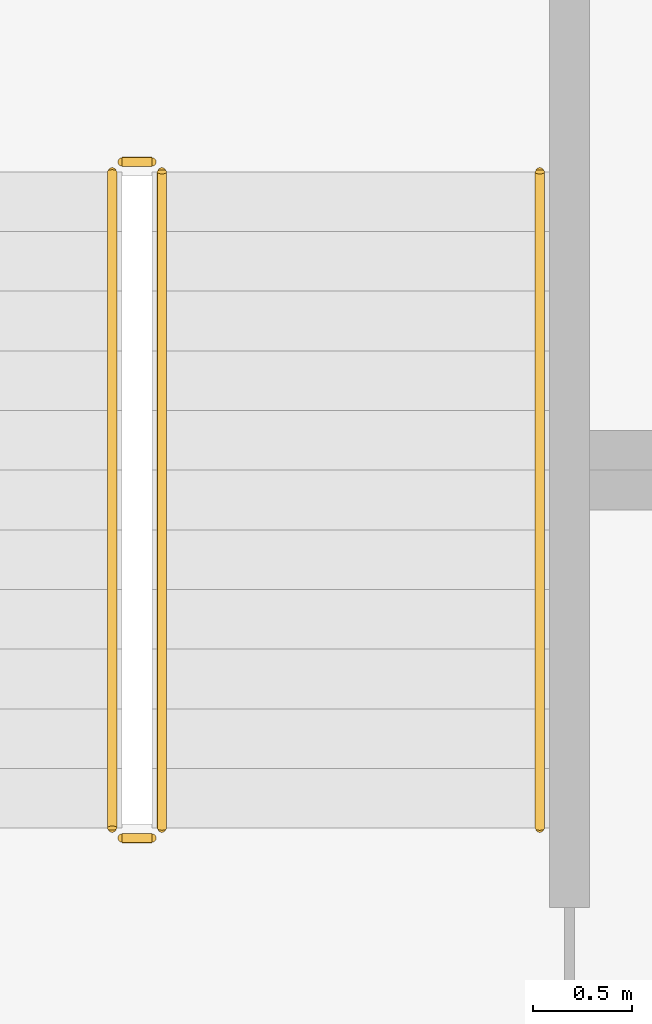
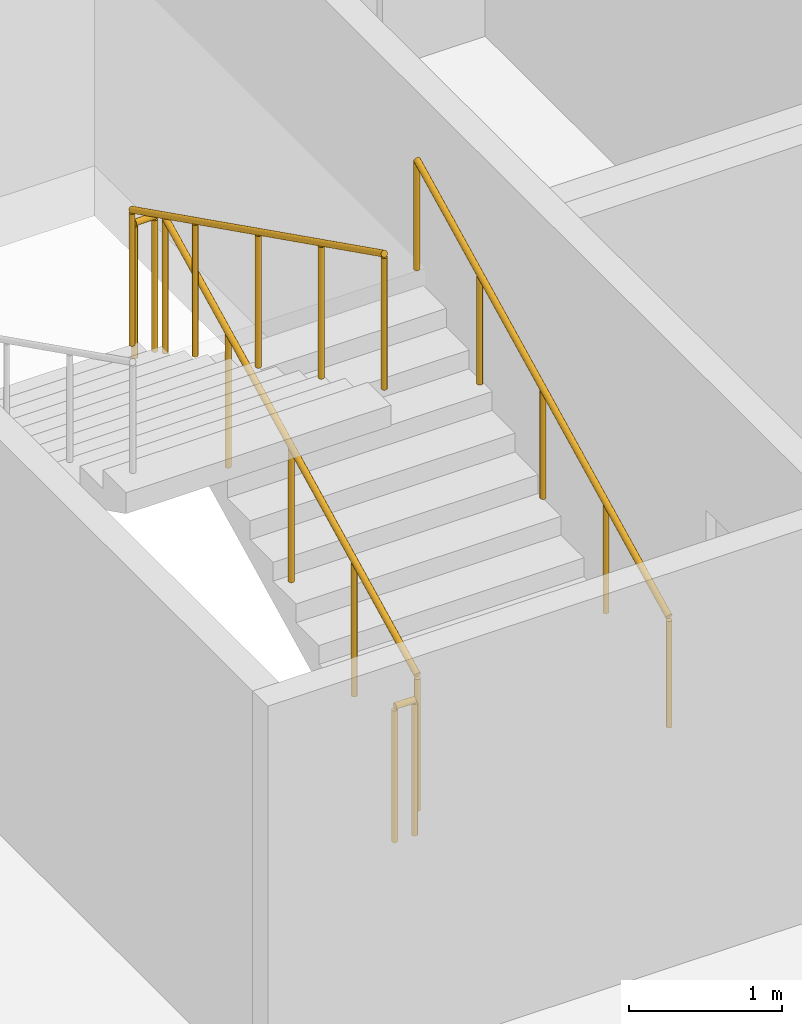
# One storey, part 30 of 37: 5 railings.
"""IFC4 building model written with IfcOpenShell, lengths in metres."""

from ifc_helpers import new_model, si_unit, direction, frame, origin, origin_2d, place, context, subcontext, project, spatial, circle, extrude, material, type_object, element, save


model = new_model("IFC4")

# Units and contexts
model_context = context("Model", 3, precision=1e-05, world=origin(), true_north=direction((0.0, 1.0)))
body_context = subcontext(model_context, "Body", "Model", "MODEL_VIEW")
ifc_project = project(units=[si_unit("LENGTHUNIT", "METRE"), si_unit("AREAUNIT", "SQUARE_METRE"), si_unit("VOLUMEUNIT", "CUBIC_METRE"), si_unit("PLANEANGLEUNIT", "RADIAN"), si_unit("MASSUNIT", "GRAM", prefix="KILO")], contexts=[model_context])

# Site, building, storey
site_placement = place(None, origin())
site = spatial("IfcSite", under=ifc_project, at=site_placement, CompositionType="ELEMENT")
building_placement = place(site_placement, origin())
building = spatial("IfcBuilding", under=site, at=building_placement, Name="Tamra Quay Hotel Tower", CompositionType="ELEMENT")
storey_placement = place(building_placement, frame((0.0, 0.0, -3.60009765625)))
storey = spatial("IfcBuildingStorey", under=building, at=storey_placement, Name="B1", CompositionType="ELEMENT", Elevation=-3.60009765625)

# Railings
ifc_material_1 = material(Name="Basement stair guard 1100")
railing_type_1 = type_object("IfcRailingType", Name="Basement stair guard 1100", PredefinedType="GUARDRAIL", material=ifc_material_1)
railing_1_placement = place(storey_placement, frame((22.949951171875, -66.800048828125, 0.150146484375)))
element("IfcRailing", 1, at=railing_1_placement, inside=storey, type_object=railing_type_1, Name="BSG", PredefinedType="GUARDRAIL", context=body_context, shape_type="SweptSolid", body=[
    extrude(circle(Radius=0.02392578125, at=origin_2d()), frame((0.0, 0.0, 1.076171875), z_axis=(0.0, 0.894440424912, 0.447187126696), x_axis=(-1.0, 0.0, 0.0)), (0.0, 0.0, 1.0), 3.689453125),
    extrude(circle(Radius=0.02099609375, at=origin_2d()), origin(), (0.0, 0.0, 1.0), 1.052001953125),
    extrude(circle(Radius=0.02099609375, at=origin_2d()), frame((0.0, 0.824951171875, 0.41259765625)), (0.0, 0.0, 1.0), 1.052001953125),
    extrude(circle(Radius=0.02099609375, at=origin_2d()), frame((0.0, 1.64990234375, 0.824951171875)), (0.0, 0.0, 1.0), 1.052001953125),
    extrude(circle(Radius=0.02099609375, at=origin_2d()), frame((0.0, 2.47509765625, 1.2373046875)), (0.0, 0.0, 1.0), 1.052001953125),
    extrude(circle(Radius=0.02099609375, at=origin_2d()), frame((0.0, 3.300048828125, 1.64990234375)), (0.0, 0.0, 1.0), 1.052001953125),
])
railing_2_placement = place(storey_placement, frame((22.89990234375, -63.449951171875, 1.800048828125)))
element("IfcRailing", 2, at=railing_2_placement, inside=storey, type_object=railing_type_1, Name="BSG", PredefinedType="GUARDRAIL", context=body_context, shape_type="SweptSolid", body=[
    extrude(circle(Radius=0.02392578125, at=origin_2d()), frame((0.0, 0.0, 1.076171875), z_axis=(-1.0, 0.0, 0.0), x_axis=(0.0, -1.0, 0.0)), (0.0, 0.0, 1.0), 0.14990234375),
    extrude(circle(Radius=0.02099609375, at=origin_2d()), origin(), (0.0, 0.0, 1.0), 1.052001953125),
    extrude(circle(Radius=0.02099609375, at=origin_2d()), frame((-0.14990234375, 0.0, 0.0)), (0.0, 0.0, 1.0), 1.052001953125),
])
railing_3_placement = place(storey_placement, frame((22.699951171875, -63.5, 1.9501953125)))
element("IfcRailing", 3, at=railing_3_placement, inside=storey, type_object=railing_type_1, Name="BSG", PredefinedType="GUARDRAIL", context=body_context, shape_type="SweptSolid", body=[
    extrude(circle(Radius=0.02392578125, at=origin_2d()), frame((0.0, 0.0, 1.076171875), z_axis=(0.0, -0.894440424912, 0.447187126696), x_axis=(1.0, 0.0, 0.0)), (0.0, 0.0, 1.0), 3.689453125),
    extrude(circle(Radius=0.02099609375, at=origin_2d()), origin(), (0.0, 0.0, 1.0), 1.052001953125),
    extrude(circle(Radius=0.02099609375, at=origin_2d()), frame((0.0, -0.824951171875, 0.41259765625)), (0.0, 0.0, 1.0), 1.052001953125),
    extrude(circle(Radius=0.02099609375, at=origin_2d()), frame((0.0, -1.64990234375, 0.824951171875)), (0.0, 0.0, 1.0), 1.052001953125),
    extrude(circle(Radius=0.02099609375, at=origin_2d()), frame((0.0, -2.47509765625, 1.2373046875)), (0.0, 0.0, 1.0), 1.052001953125),
    extrude(circle(Radius=0.02099609375, at=origin_2d()), frame((0.0, -3.300048828125, 1.64990234375)), (0.0, 0.0, 1.0), 1.052001953125),
])
railing_4_placement = place(storey_placement, frame((22.89990234375, -66.85009765625, 0.0)))
element("IfcRailing", 4, at=railing_4_placement, inside=storey, type_object=railing_type_1, Name="BSG", PredefinedType="GUARDRAIL", context=body_context, shape_type="SweptSolid", body=[
    extrude(circle(Radius=0.02392578125, at=origin_2d()), frame((0.0, 0.0, 1.076171875), z_axis=(-1.0, 0.0, 0.0), x_axis=(0.0, -1.0, 0.0)), (0.0, 0.0, 1.0), 0.14990234375),
    extrude(circle(Radius=0.02099609375, at=origin_2d()), origin(), (0.0, 0.0, 1.0), 1.052001953125),
    extrude(circle(Radius=0.02099609375, at=origin_2d()), frame((-0.14990234375, 0.0, 0.0)), (0.0, 0.0, 1.0), 1.052001953125),
])
ifc_material_2 = material(Name="Basement stair handrail 900")
railing_type_2 = type_object("IfcRailingType", Name="Basement stair handrail 900", PredefinedType="HANDRAIL", material=ifc_material_2)
railing_5_placement = place(storey_placement, frame((24.85009765625, -66.800048828125, 0.150146484375)))
element("IfcRailing", 5, at=railing_5_placement, inside=storey, type_object=railing_type_2, Name="BSH", PredefinedType="HANDRAIL", context=body_context, shape_type="SweptSolid", body=[
    extrude(circle(Radius=0.02392578125, at=origin_2d()), frame((0.0, 0.0, 0.8759765625), z_axis=(0.0, 0.894440424912, 0.447187126696), x_axis=(-1.0, 0.0, 0.0)), (0.0, 0.0, 1.0), 3.689453125),
    extrude(circle(Radius=0.02099609375, at=origin_2d()), origin(), (0.0, 0.0, 1.0), 0.851806640625),
    extrude(circle(Radius=0.02099609375, at=origin_2d()), frame((0.0, 0.824951171875, 0.41259765625)), (0.0, 0.0, 1.0), 0.851806640625),
    extrude(circle(Radius=0.02099609375, at=origin_2d()), frame((0.0, 1.64990234375, 0.824951171875)), (0.0, 0.0, 1.0), 0.851806640625),
    extrude(circle(Radius=0.02099609375, at=origin_2d()), frame((0.0, 2.47509765625, 1.2373046875)), (0.0, 0.0, 1.0), 0.851806640625),
    extrude(circle(Radius=0.02099609375, at=origin_2d()), frame((0.0, 3.300048828125, 1.64990234375)), (0.0, 0.0, 1.0), 0.851806640625),
])

save(model, "model.ifc")
